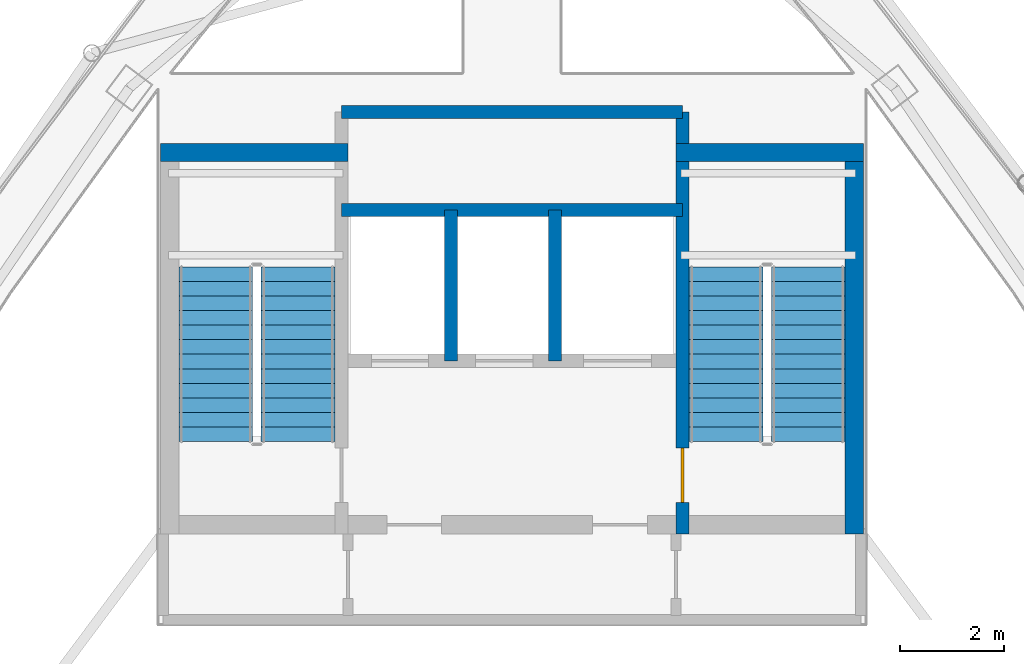
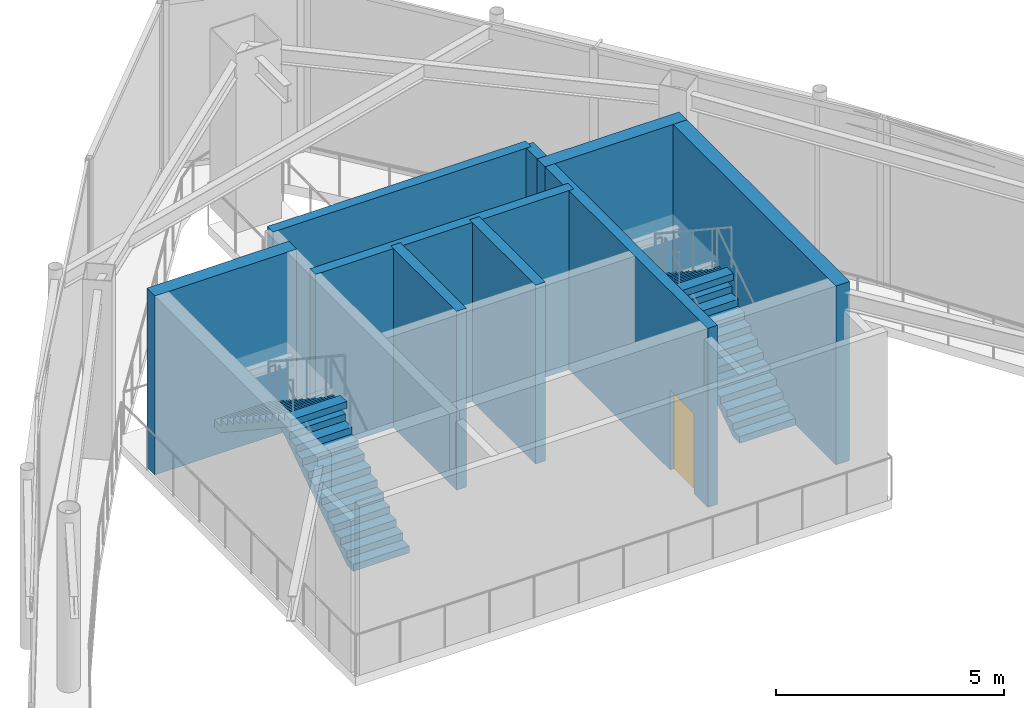
# One storey, part 16 of 19: 8 walls, 4 stair flights, 1 door, 1 opening, 2 elements without a shape of their own.
"""IFC4 building model written with IfcOpenShell, lengths in metres."""

from ifc_helpers import new_model, si_unit, direction, frame, frame_2d, origin, place, context, subcontext, project, spatial, polyline, rectangle, outline, extrude, material, layer, layer_set, type_object, element, fill, aggregate, save


model = new_model("IFC4")

# Units and contexts
model_context = context("Model", 3, precision=1e-05, world=origin(), true_north=direction((0.0, 1.0)))
body_context = subcontext(model_context, "Body", "Model", "MODEL_VIEW")
ifc_project = project(units=[si_unit("LENGTHUNIT", "METRE"), si_unit("AREAUNIT", "SQUARE_METRE"), si_unit("VOLUMEUNIT", "CUBIC_METRE"), si_unit("PLANEANGLEUNIT", "RADIAN"), si_unit("MASSUNIT", "GRAM", prefix="KILO")], contexts=[model_context])

# Site, building, storey
site_placement = place(None, origin())
site = spatial("IfcSite", under=ifc_project, at=site_placement, CompositionType="ELEMENT")
building_placement = place(site_placement, origin())
building = spatial("IfcBuilding", under=site, at=building_placement, Name="Orvanel Arch Residences", CompositionType="ELEMENT")
storey_placement = place(building_placement, frame((0.0, 0.0, 295.699951171875)))
storey = spatial("IfcBuildingStorey", under=building, at=storey_placement, Name="L83", CompositionType="ELEMENT", Elevation=295.699951171875)

# Wall, opening, door
ifc_material_1 = material(Name="Concrete N50 (50 MPa)", Category="concrete")
ifc_layer_1 = layer(ifc_material_1, 0.25)
ifc_layer_set_1 = layer_set([ifc_layer_1], Name="Concrete N50 (50 MPa)")
wall_type_1 = type_object("IfcWallType", Name="SW-CORE-250", PredefinedType="SHEAR", material=ifc_layer_set_1)
wall_1_placement = place(storey_placement, frame((36.27490234375, 26.550048828125, 0.0), z_axis=(0.0, 0.0, 1.0), x_axis=(0.0, 1.0, 0.0)))
wall_1 = element("IfcWall", 1, at=wall_1_placement, inside=storey, type_object=wall_type_1, Name="L83 East Inner Core Spine Shear Wall", PredefinedType="SHEAR", context=body_context, shape_type="SweptSolid", body=[
    extrude(rectangle(XDim=8.099853515625, YDim=0.25, at=frame_2d((4.0498046875, 0.0))), origin(), (0.0, 0.0, 1.0), 4.800048828125),
])
opening_placement = place(wall_1_placement, frame((0.60009765625, 0.0, 0.0)))
opening = element("IfcOpeningElement", 2, at=opening_placement, cuts=wall_1, Name="Opening DF-120", PredefinedType="OPENING", context=body_context, shape_type="SweptSolid", body=[
    extrude(rectangle(XDim=1.050048828125, YDim=2.14990234375, at=frame_2d((0.52490234375, 1.074951171875))), frame((0.0, 0.135009765625, 0.0), z_axis=(0.0, -1.0, 0.0), x_axis=(1.0, 0.0, 0.0)), (0.0, 0.0, 1.0), 0.27001953125),
])
ifc_material_2 = material(Name="Galvanised steel fire-resisting door assembly", Category="steel")
door_type = type_object("IfcDoorType", Name="DR-FD120-1050", OperationType="NOTDEFINED", PredefinedType="DOOR", material=ifc_material_2)
door_placement = place(opening_placement, origin())
door = element("IfcDoor", 3, at=door_placement, inside=storey, type_object=door_type, Name="DR-L83-ST2 L83 Stair 2 Fire Door", OperationType="SINGLE_SWING_RIGHT", OverallHeight=2.14990234375, OverallWidth=1.050048828125, PredefinedType="DOOR", context=body_context, shape_type="SweptSolid", body=[
    extrude(rectangle(XDim=1.050048828125, YDim=2.14990234375, at=frame_2d((0.52490234375, 1.074951171875))), frame((0.0, 0.02490234375, 0.0), z_axis=(0.0, -1.0, 0.0), x_axis=(1.0, 0.0, 0.0)), (0.0, 0.0, 1.0), 0.050048828125),
])
fill(opening, door)

# Walls
wall_2_placement = place(storey_placement, frame((29.72509765625, 32.77490234375, 0.0), z_axis=(0.0, 0.0, 1.0), x_axis=(1.0, 0.0, 0.0)))
element("IfcWall", 4, at=wall_2_placement, inside=storey, type_object=wall_type_1, Name="L83 Emergency Lift Back Core Shear Wall", PredefinedType="SHEAR", context=body_context, shape_type="SweptSolid", body=[
    extrude(rectangle(XDim=6.5498046875, YDim=0.25, at=frame_2d((3.27490234375, 0.0))), origin(), (0.0, 0.0, 1.0), 4.800048828125),
])
for number, where, z_axis, x_axis, name in (
    (5, (31.824951171875, 29.875, 0.0), (0.0, 0.0, 1.0), (0.0, 1.0, 0.0), "L83 Emergency Lift Inter-Shaft Wall F12"),
    (6, (33.824951171875, 29.875, 0.0), (0.0, 0.0, 1.0), (0.0, 1.0, 0.0), "L83 Emergency Lift Inter-Shaft Wall F2G"),
):
    element("IfcWall", number, at=place(storey_placement, frame(where, z_axis=z_axis, x_axis=x_axis)), inside=storey, type_object=wall_type_1, Name=name, PredefinedType="SHEAR", context=body_context, shape_type="SweptSolid", body=[
        extrude(rectangle(XDim=2.89990234375, YDim=0.25, at=frame_2d((1.449951171875, 0.0))), origin(), (0.0, 0.0, 1.0), 4.800048828125),
    ])
wall_3_placement = place(storey_placement, frame((29.72509765625, 34.64990234375, 0.0), z_axis=(0.0, 0.0, 1.0), x_axis=(1.0, 0.0, 0.0)))
element("IfcWall", 7, at=wall_3_placement, inside=storey, type_object=wall_type_1, Name="L83 Core Service Band North Shear Wall", PredefinedType="SHEAR", context=body_context, shape_type="SweptSolid", body=[
    extrude(rectangle(XDim=6.5498046875, YDim=0.25, at=frame_2d((3.27490234375, 0.0))), origin(), (0.0, 0.0, 1.0), 4.800048828125),
])
ifc_layer_2 = layer(ifc_material_1, 0.35009765625)
ifc_layer_set_2 = layer_set([ifc_layer_2], Name="Concrete N50 (50 MPa)")
wall_type_2 = type_object("IfcWallType", Name="SW-CORE-350", PredefinedType="SHEAR", material=ifc_layer_set_2)
wall_4_placement = place(storey_placement, frame((26.25, 33.875, 0.0), z_axis=(0.0, 0.0, 1.0), x_axis=(1.0, 0.0, 0.0)))
element("IfcWall", 8, at=wall_4_placement, inside=storey, type_object=wall_type_2, Name="L83 West Stair North Shear Wall", PredefinedType="SHEAR", context=body_context, shape_type="SweptSolid", body=[
    extrude(rectangle(XDim=3.60009765625, YDim=0.35009765625, at=frame_2d((1.800048828125, 0.0))), origin(), (0.0, 0.0, 1.0), 4.800048828125),
])
wall_5_placement = place(storey_placement, frame((39.574951171875, 26.550048828125, 0.0), z_axis=(0.0, 0.0, 1.0), x_axis=(0.0, 1.0, 0.0)))
element("IfcWall", 9, at=wall_5_placement, inside=storey, type_object=wall_type_2, Name="L83 East Stair Shear Wall", PredefinedType="SHEAR", context=body_context, shape_type="SweptSolid", body=[
    extrude(rectangle(XDim=7.5, YDim=0.35009765625, at=frame_2d((3.75, 0.0))), origin(), (0.0, 0.0, 1.0), 4.800048828125),
])
wall_6_placement = place(storey_placement, frame((36.14990234375, 33.875, 0.0), z_axis=(0.0, 0.0, 1.0), x_axis=(1.0, 0.0, 0.0)))
element("IfcWall", 10, at=wall_6_placement, inside=storey, type_object=wall_type_2, Name="L83 East Stair North Shear Wall", PredefinedType="SHEAR", context=body_context, shape_type="SweptSolid", body=[
    extrude(rectangle(XDim=3.60009765625, YDim=0.35009765625, at=frame_2d((1.800048828125, 0.0))), origin(), (0.0, 0.0, 1.0), 4.800048828125),
])

# Stair, stair flights
ifc_material_3 = material(Name="Precast concrete N50 (50 MPa)", Category="concrete")
stair_type = type_object("IfcStairType", Name="STR-DOG-184", PredefinedType="USERDEFINED", material=ifc_material_3)
stair_1_placement = place(storey_placement, origin())
stair_1 = element("IfcStair", 11, at=stair_1_placement, inside=storey, type_object=stair_type, Name="L83 Fire-Isolated Core Exit Stair 1", ObjectType="TWO_RETURN_STAIR", PredefinedType="USERDEFINED")
stair_flight_type_1 = type_object("IfcStairFlightType", Name="SFL-C1-184", PredefinedType="STRAIGHT", material=ifc_material_3)
stair_flight_1_placement = place(storey_placement, frame((28.889892578125, 28.320068359375, 0.0), z_axis=(0.0, 0.0, 1.0), x_axis=(0.0, 1.0, 0.0)))
stair_flight_1 = element("IfcStairFlight", 12, at=stair_flight_1_placement, type_object=stair_flight_type_1, Name="ST-1 flight 1", NumberOfRisers=13, NumberOfTreads=12, PredefinedType="STRAIGHT", RiserHeight=0.184615385, TreadLength=0.28, context=body_context, shape_type="SweptSolid", body=[
    extrude(outline(polyline([(0.0, 0.0), (0.0, 0.1845703125), (0.280029296875, 0.1845703125), (0.280029296875, 0.369140625), (0.56005859375, 0.369140625), (0.56005859375, 0.553955078125), (0.840087890625, 0.553955078125), (0.840087890625, 0.738525390625), (1.1201171875, 0.738525390625), (1.1201171875, 0.923095703125), (1.39990234375, 0.923095703125), (1.39990234375, 1.107666015625), (1.679931640625, 1.107666015625), (1.679931640625, 1.292236328125), (1.9599609375, 1.292236328125), (1.9599609375, 1.476806640625), (2.239990234375, 1.476806640625), (2.239990234375, 1.66162109375), (2.52001953125, 1.66162109375), (2.52001953125, 1.84619140625), (2.800048828125, 1.84619140625), (2.800048828125, 2.03076171875), (3.080078125, 2.03076171875), (3.080078125, 2.21533203125), (3.360107421875, 2.21533203125), (3.360107421875, 2.39990234375), (3.360107421875, 2.035888671875), (0.272216796875, 0.0), (0.0, 0.0)])), frame((0.0, 0.7099609375, 0.0), z_axis=(0.0, -1.0, 0.0), x_axis=(1.0, 0.0, 0.0)), (0.0, 0.0, 1.0), 1.419921875),
])
stair_flight_2_placement = place(storey_placement, frame((27.31005859375, 31.679931640625, 2.400146484375), z_axis=(0.0, 0.0, 1.0), x_axis=(0.0, -1.0, 0.0)))
stair_flight_2 = element("IfcStairFlight", 13, at=stair_flight_2_placement, type_object=stair_flight_type_1, Name="ST-1 flight 2", NumberOfRisers=13, NumberOfTreads=12, PredefinedType="STRAIGHT", RiserHeight=0.184615385, TreadLength=0.28, context=body_context, shape_type="SweptSolid", body=[
    extrude(outline(polyline([(0.0, 0.0), (0.0, 0.1845703125), (0.280029296875, 0.1845703125), (0.280029296875, 0.369140625), (0.56005859375, 0.369140625), (0.56005859375, 0.553955078125), (0.840087890625, 0.553955078125), (0.840087890625, 0.738525390625), (1.1201171875, 0.738525390625), (1.1201171875, 0.923095703125), (1.39990234375, 0.923095703125), (1.39990234375, 1.107666015625), (1.679931640625, 1.107666015625), (1.679931640625, 1.292236328125), (1.9599609375, 1.292236328125), (1.9599609375, 1.476806640625), (2.239990234375, 1.476806640625), (2.239990234375, 1.66162109375), (2.52001953125, 1.66162109375), (2.52001953125, 1.84619140625), (2.800048828125, 1.84619140625), (2.800048828125, 2.03076171875), (3.080078125, 2.03076171875), (3.080078125, 2.21533203125), (3.360107421875, 2.21533203125), (3.360107421875, 2.39990234375), (3.360107421875, 2.035888671875), (0.272216796875, 0.0), (0.0, 0.0)])), frame((0.0, 0.7099609375, 0.0), z_axis=(0.0, -1.0, 0.0), x_axis=(1.0, 0.0, 0.0)), (0.0, 0.0, 1.0), 1.419921875),
])
aggregate(stair_1, [stair_flight_1, stair_flight_2])

stair_2_placement = place(storey_placement, origin())
stair_2 = element("IfcStair", 14, at=stair_2_placement, inside=storey, type_object=stair_type, Name="L83 Fire-Isolated Core Exit Stair 2", ObjectType="TWO_RETURN_STAIR", PredefinedType="USERDEFINED")
stair_flight_type_2 = type_object("IfcStairFlightType", Name="SFL-C2-184", PredefinedType="STRAIGHT", material=ifc_material_3)
stair_flight_3_placement = place(storey_placement, frame((38.68994140625, 28.320068359375, 0.0), z_axis=(0.0, 0.0, 1.0), x_axis=(0.0, 1.0, 0.0)))
stair_flight_3 = element("IfcStairFlight", 15, at=stair_flight_3_placement, type_object=stair_flight_type_2, Name="ST-2 flight 1", NumberOfRisers=13, NumberOfTreads=12, PredefinedType="STRAIGHT", RiserHeight=0.184615385, TreadLength=0.28, context=body_context, shape_type="SweptSolid", body=[
    extrude(outline(polyline([(0.0, 0.0), (0.0, 0.1845703125), (0.280029296875, 0.1845703125), (0.280029296875, 0.369140625), (0.56005859375, 0.369140625), (0.56005859375, 0.553955078125), (0.840087890625, 0.553955078125), (0.840087890625, 0.738525390625), (1.1201171875, 0.738525390625), (1.1201171875, 0.923095703125), (1.39990234375, 0.923095703125), (1.39990234375, 1.107666015625), (1.679931640625, 1.107666015625), (1.679931640625, 1.292236328125), (1.9599609375, 1.292236328125), (1.9599609375, 1.476806640625), (2.239990234375, 1.476806640625), (2.239990234375, 1.66162109375), (2.52001953125, 1.66162109375), (2.52001953125, 1.84619140625), (2.800048828125, 1.84619140625), (2.800048828125, 2.03076171875), (3.080078125, 2.03076171875), (3.080078125, 2.21533203125), (3.360107421875, 2.21533203125), (3.360107421875, 2.39990234375), (3.360107421875, 2.035888671875), (0.272216796875, 0.0), (0.0, 0.0)])), frame((0.0, 0.7099609375, 0.0), z_axis=(0.0, -1.0, 0.0), x_axis=(1.0, 0.0, 0.0)), (0.0, 0.0, 1.0), 1.419921875),
])
stair_flight_4_placement = place(storey_placement, frame((37.110107421875, 31.679931640625, 2.400146484375), z_axis=(0.0, 0.0, 1.0), x_axis=(0.0, -1.0, 0.0)))
stair_flight_4 = element("IfcStairFlight", 16, at=stair_flight_4_placement, type_object=stair_flight_type_2, Name="ST-2 flight 2", NumberOfRisers=13, NumberOfTreads=12, PredefinedType="STRAIGHT", RiserHeight=0.184615385, TreadLength=0.28, context=body_context, shape_type="SweptSolid", body=[
    extrude(outline(polyline([(0.0, 0.0), (0.0, 0.1845703125), (0.280029296875, 0.1845703125), (0.280029296875, 0.369140625), (0.56005859375, 0.369140625), (0.56005859375, 0.553955078125), (0.840087890625, 0.553955078125), (0.840087890625, 0.738525390625), (1.1201171875, 0.738525390625), (1.1201171875, 0.923095703125), (1.39990234375, 0.923095703125), (1.39990234375, 1.107666015625), (1.679931640625, 1.107666015625), (1.679931640625, 1.292236328125), (1.9599609375, 1.292236328125), (1.9599609375, 1.476806640625), (2.239990234375, 1.476806640625), (2.239990234375, 1.66162109375), (2.52001953125, 1.66162109375), (2.52001953125, 1.84619140625), (2.800048828125, 1.84619140625), (2.800048828125, 2.03076171875), (3.080078125, 2.03076171875), (3.080078125, 2.21533203125), (3.360107421875, 2.21533203125), (3.360107421875, 2.39990234375), (3.360107421875, 2.035888671875), (0.272216796875, 0.0), (0.0, 0.0)])), frame((0.0, 0.7099609375, 0.0), z_axis=(0.0, -1.0, 0.0), x_axis=(1.0, 0.0, 0.0)), (0.0, 0.0, 1.0), 1.419921875),
])
aggregate(stair_2, [stair_flight_3, stair_flight_4])

save(model, "model.ifc")
